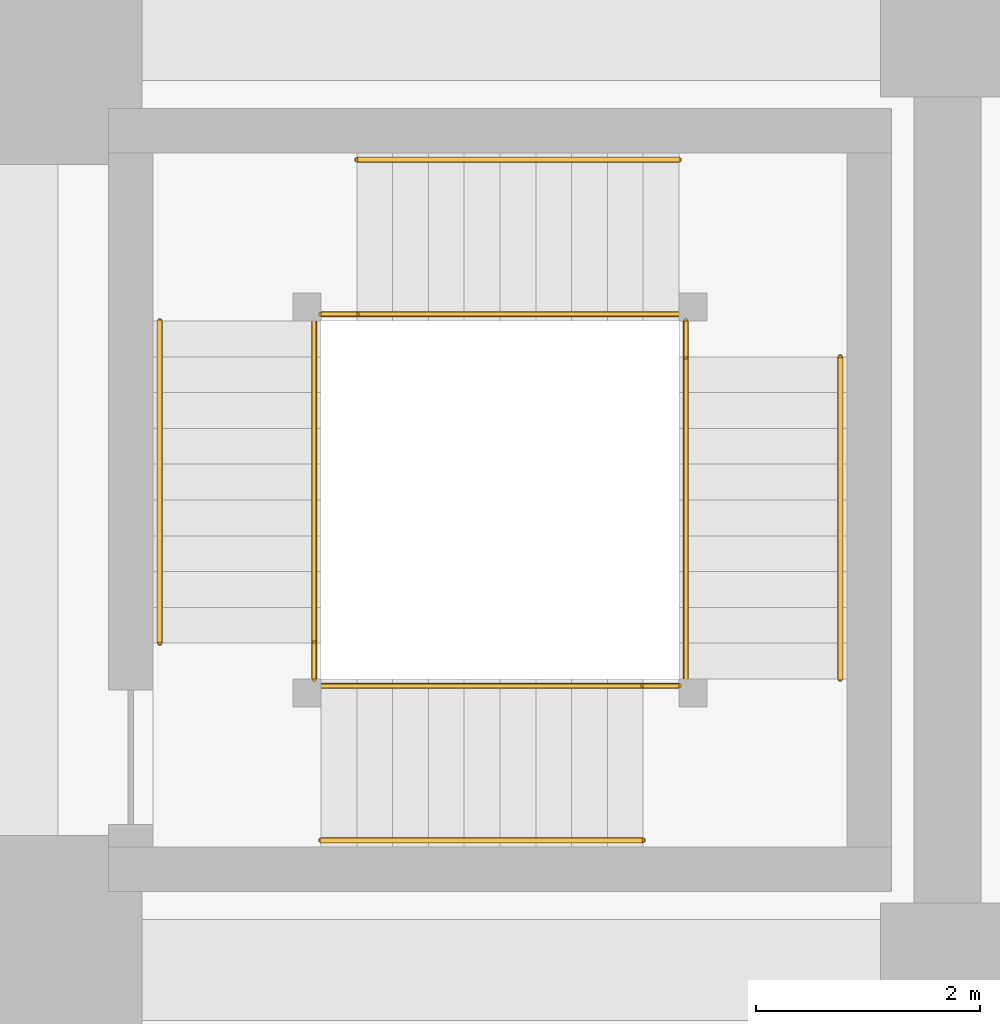
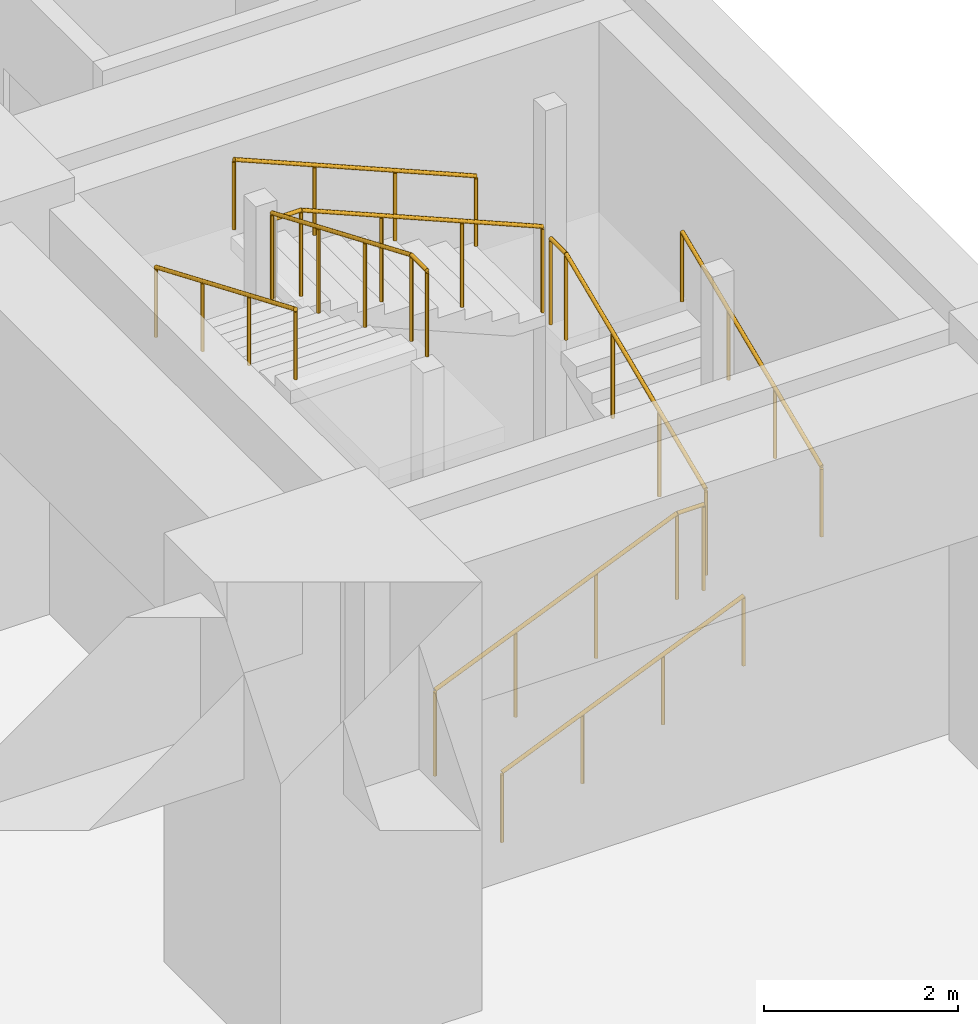
# One storey, part 19 of 20: 12 railings.
"""IFC4 building model written with IfcOpenShell, lengths in metres."""

from ifc_helpers import new_model, si_unit, direction, frame, origin, origin_2d, place, context, subcontext, project, spatial, circle, extrude, material, type_object, element, save


model = new_model("IFC4")

# Units and contexts
model_context = context("Model", 3, precision=1e-05, world=origin(), true_north=direction((0.0, 1.0)))
body_context = subcontext(model_context, "Body", "Model", "MODEL_VIEW")
ifc_project = project(units=[si_unit("LENGTHUNIT", "METRE"), si_unit("AREAUNIT", "SQUARE_METRE"), si_unit("VOLUMEUNIT", "CUBIC_METRE"), si_unit("PLANEANGLEUNIT", "RADIAN"), si_unit("MASSUNIT", "GRAM", prefix="KILO")], contexts=[model_context])

# Site, building, storey
site_placement = place(None, origin())
site = spatial("IfcSite", under=ifc_project, at=site_placement, CompositionType="ELEMENT")
building_placement = place(site_placement, origin())
building = spatial("IfcBuilding", under=site, at=building_placement, Name="Rekha Terrace Tower", CompositionType="ELEMENT")
storey_placement = place(building_placement, frame((0.0, 0.0, -5.39990234375)))
storey = spatial("IfcBuildingStorey", under=building, at=storey_placement, Name="B-01", CompositionType="ELEMENT", Elevation=-5.39990234375)

# Railings
ifc_material_1 = material(Name="Stainless steel balustrade", Category="steel")
railing_type_1 = type_object("IfcRailingType", Name="GR1 1100 stair guard", PredefinedType="GUARDRAIL", material=ifc_material_1)
railing_1_placement = place(storey_placement, frame((70.0, 27.739990234375, 0.135009765625)))
element("IfcRailing", 1, at=railing_1_placement, inside=storey, type_object=railing_type_1, Name="Guard SP2 B-01 flight 1", PredefinedType="GUARDRAIL", context=body_context, shape_type="SweptSolid", body=[
    extrude(circle(Radius=0.02392578125, at=origin_2d()), frame((0.0, 0.0, 1.076171875), z_axis=(0.921376398962, 0.0, 0.388671495527), x_axis=(0.0, 1.0, 0.0)), (0.0, 0.0, 1.0), 3.125732421875),
    extrude(circle(Radius=0.02099609375, at=origin_2d()), origin(), (0.0, 0.0, 1.0), 1.052001953125),
    extrude(circle(Radius=0.02099609375, at=origin_2d()), frame((0.9599609375, 0.0, 0.405029296875)), (0.0, 0.0, 1.0), 1.052001953125),
    extrude(circle(Radius=0.02099609375, at=origin_2d()), frame((1.919921875, 0.0, 0.809814453125)), (0.0, 0.0, 1.0), 1.052001953125),
    extrude(circle(Radius=0.02099609375, at=origin_2d()), frame((2.8798828125, 0.0, 1.21484375)), (0.0, 0.0, 1.0), 1.052001953125),
])
railing_2_placement = place(storey_placement, frame((73.260009765625, 27.800048828125, 1.48486328125)))
element("IfcRailing", 2, at=railing_2_placement, inside=storey, type_object=railing_type_1, Name="Guard SP2 B-01 flight 2", PredefinedType="GUARDRAIL", context=body_context, shape_type="SweptSolid", body=[
    extrude(circle(Radius=0.02392578125, at=origin_2d()), frame((0.0, 0.0, 1.076171875), z_axis=(0.0, 0.921348425517, 0.388737802119), x_axis=(-1.0, 0.0, 0.0)), (0.0, 0.0, 1.0), 3.125732421875),
    extrude(circle(Radius=0.02099609375, at=origin_2d()), origin(), (0.0, 0.0, 1.0), 1.052001953125),
    extrude(circle(Radius=0.02099609375, at=origin_2d()), frame((0.0, 0.9599609375, 0.405029296875)), (0.0, 0.0, 1.0), 1.052001953125),
    extrude(circle(Radius=0.02099609375, at=origin_2d()), frame((0.0, 1.919921875, 0.81005859375)), (0.0, 0.0, 1.0), 1.052001953125),
    extrude(circle(Radius=0.02099609375, at=origin_2d()), frame((0.0, 2.8798828125, 1.215087890625)), (0.0, 0.0, 1.0), 1.052001953125),
])
railing_3_placement = place(storey_placement, frame((73.199951171875, 31.06005859375, 2.8349609375)))
element("IfcRailing", 3, at=railing_3_placement, inside=storey, type_object=railing_type_1, Name="Guard SP2 B-01 flight 3", PredefinedType="GUARDRAIL", context=body_context, shape_type="SweptSolid", body=[
    extrude(circle(Radius=0.02392578125, at=origin_2d()), frame((0.0, 0.0, 1.076171875), z_axis=(-0.921376398962, 0.0, 0.388671495527), x_axis=(0.0, -1.0, 0.0)), (0.0, 0.0, 1.0), 3.125732421875),
    extrude(circle(Radius=0.02099609375, at=origin_2d()), origin(), (0.0, 0.0, 1.0), 1.052001953125),
    extrude(circle(Radius=0.02099609375, at=origin_2d()), frame((-0.9599609375, 0.0, 0.405029296875)), (0.0, 0.0, 1.0), 1.052001953125),
    extrude(circle(Radius=0.02099609375, at=origin_2d()), frame((-1.919921875, 0.0, 0.809814453125)), (0.0, 0.0, 1.0), 1.052001953125),
    extrude(circle(Radius=0.02099609375, at=origin_2d()), frame((-2.8798828125, 0.0, 1.21484375)), (0.0, 0.0, 1.0), 1.052001953125),
])
railing_4_placement = place(storey_placement, frame((69.93994140625, 31.0, 4.184814453125)))
element("IfcRailing", 4, at=railing_4_placement, inside=storey, type_object=railing_type_1, Name="Guard SP2 B-01 flight 4", PredefinedType="GUARDRAIL", context=body_context, shape_type="SweptSolid", body=[
    extrude(circle(Radius=0.02392578125, at=origin_2d()), frame((0.0, 0.0, 1.076171875), z_axis=(0.0, -0.921348425517, 0.388737802119), x_axis=(1.0, 0.0, 0.0)), (0.0, 0.0, 1.0), 3.125732421875),
    extrude(circle(Radius=0.02099609375, at=origin_2d()), origin(), (0.0, 0.0, 1.0), 1.052001953125),
    extrude(circle(Radius=0.02099609375, at=origin_2d()), frame((0.0, -0.9599609375, 0.405029296875)), (0.0, 0.0, 1.0), 1.052001953125),
    extrude(circle(Radius=0.02099609375, at=origin_2d()), frame((0.0, -1.919921875, 0.81005859375)), (0.0, 0.0, 1.0), 1.052001953125),
    extrude(circle(Radius=0.02099609375, at=origin_2d()), frame((0.0, -2.8798828125, 1.215087890625)), (0.0, 0.0, 1.0), 1.052001953125),
])
railing_5_placement = place(storey_placement, frame((72.8798828125, 27.739990234375, 1.349853515625)))
element("IfcRailing", 5, at=railing_5_placement, inside=storey, type_object=railing_type_1, Name="Guard SP2 B-01 landing 1", PredefinedType="GUARDRAIL", context=body_context, shape_type="SweptSolid", body=[
    extrude(circle(Radius=0.02392578125, at=origin_2d()), frame((0.0, 0.0, 1.076171875), z_axis=(1.0, 0.0, 0.0), x_axis=(0.0, 1.0, 0.0)), (0.0, 0.0, 1.0), 0.320068359375),
    extrude(circle(Radius=0.02099609375, at=origin_2d()), origin(), (0.0, 0.0, 1.0), 1.052001953125),
    extrude(circle(Radius=0.02099609375, at=origin_2d()), frame((0.320068359375, 0.0, 0.0)), (0.0, 0.0, 1.0), 1.052001953125),
])
railing_6_placement = place(storey_placement, frame((73.260009765625, 30.679931640625, 2.699951171875)))
element("IfcRailing", 6, at=railing_6_placement, inside=storey, type_object=railing_type_1, Name="Guard SP2 B-01 landing 2", PredefinedType="GUARDRAIL", context=body_context, shape_type="SweptSolid", body=[
    extrude(circle(Radius=0.02392578125, at=origin_2d()), frame((0.0, 0.0, 1.076171875), z_axis=(0.0, 1.0, 0.0), x_axis=(-1.0, 0.0, 0.0)), (0.0, 0.0, 1.0), 0.320068359375),
    extrude(circle(Radius=0.02099609375, at=origin_2d()), origin(), (0.0, 0.0, 1.0), 1.052001953125),
    extrude(circle(Radius=0.02099609375, at=origin_2d()), frame((0.0, 0.320068359375, 0.0)), (0.0, 0.0, 1.0), 1.052001953125),
])
railing_7_placement = place(storey_placement, frame((70.0, 31.06005859375, 4.0498046875)))
element("IfcRailing", 7, at=railing_7_placement, inside=storey, type_object=railing_type_1, Name="Guard SP2 B-01 landing 3", PredefinedType="GUARDRAIL", context=body_context, shape_type="SweptSolid", body=[
    extrude(circle(Radius=0.02392578125, at=origin_2d()), frame((0.0, 0.0, 1.076171875), z_axis=(1.0, 0.0, 0.0), x_axis=(0.0, 1.0, 0.0)), (0.0, 0.0, 1.0), 0.320068359375),
    extrude(circle(Radius=0.02099609375, at=origin_2d()), origin(), (0.0, 0.0, 1.0), 1.052001953125),
    extrude(circle(Radius=0.02099609375, at=origin_2d()), frame((0.320068359375, 0.0, 0.0)), (0.0, 0.0, 1.0), 1.052001953125),
])
railing_8_placement = place(storey_placement, frame((69.93994140625, 27.800048828125, 5.39990234375)))
element("IfcRailing", 8, at=railing_8_placement, inside=storey, type_object=railing_type_1, Name="Guard SP2 B-01 landing 4", PredefinedType="GUARDRAIL", context=body_context, shape_type="SweptSolid", body=[
    extrude(circle(Radius=0.02392578125, at=origin_2d()), frame((0.0, 0.0, 1.076171875), z_axis=(0.0, 1.0, 0.0), x_axis=(-1.0, 0.0, 0.0)), (0.0, 0.0, 1.0), 0.320068359375),
    extrude(circle(Radius=0.02099609375, at=origin_2d()), origin(), (0.0, 0.0, 1.0), 1.052001953125),
    extrude(circle(Radius=0.02099609375, at=origin_2d()), frame((0.0, 0.320068359375, 0.0)), (0.0, 0.0, 1.0), 1.052001953125),
])
ifc_material_2 = material(Name="Stainless steel tube", Category="steel")
railing_type_2 = type_object("IfcRailingType", Name="HR1 900 stair handrail", PredefinedType="HANDRAIL", material=ifc_material_2)
railing_9_placement = place(storey_placement, frame((70.0, 26.360107421875, 0.135009765625)))
element("IfcRailing", 9, at=railing_9_placement, inside=storey, type_object=railing_type_2, Name="Handrail SP2 B-01 flight 1", PredefinedType="HANDRAIL", context=body_context, shape_type="SweptSolid", body=[
    extrude(circle(Radius=0.02392578125, at=origin_2d()), frame((0.0, 0.0, 0.8759765625), z_axis=(0.921376398962, 0.0, 0.388671495527), x_axis=(0.0, 1.0, 0.0)), (0.0, 0.0, 1.0), 3.125732421875),
    extrude(circle(Radius=0.02099609375, at=origin_2d()), origin(), (0.0, 0.0, 1.0), 0.851806640625),
    extrude(circle(Radius=0.02099609375, at=origin_2d()), frame((0.9599609375, 0.0, 0.405029296875)), (0.0, 0.0, 1.0), 0.851806640625),
    extrude(circle(Radius=0.02099609375, at=origin_2d()), frame((1.919921875, 0.0, 0.809814453125)), (0.0, 0.0, 1.0), 0.851806640625),
    extrude(circle(Radius=0.02099609375, at=origin_2d()), frame((2.8798828125, 0.0, 1.21484375)), (0.0, 0.0, 1.0), 0.851806640625),
])
railing_10_placement = place(storey_placement, frame((74.639892578125, 27.800048828125, 1.48486328125)))
element("IfcRailing", 10, at=railing_10_placement, inside=storey, type_object=railing_type_2, Name="Handrail SP2 B-01 flight 2", PredefinedType="HANDRAIL", context=body_context, shape_type="SweptSolid", body=[
    extrude(circle(Radius=0.02392578125, at=origin_2d()), frame((0.0, 0.0, 0.8759765625), z_axis=(0.0, 0.921348425517, 0.388737802119), x_axis=(-1.0, 0.0, 0.0)), (0.0, 0.0, 1.0), 3.125732421875),
    extrude(circle(Radius=0.02099609375, at=origin_2d()), origin(), (0.0, 0.0, 1.0), 0.851806640625),
    extrude(circle(Radius=0.02099609375, at=origin_2d()), frame((0.0, 0.9599609375, 0.405029296875)), (0.0, 0.0, 1.0), 0.851806640625),
    extrude(circle(Radius=0.02099609375, at=origin_2d()), frame((0.0, 1.919921875, 0.81005859375)), (0.0, 0.0, 1.0), 0.851806640625),
    extrude(circle(Radius=0.02099609375, at=origin_2d()), frame((0.0, 2.8798828125, 1.215087890625)), (0.0, 0.0, 1.0), 0.851806640625),
])
railing_11_placement = place(storey_placement, frame((73.199951171875, 32.43994140625, 2.8349609375)))
element("IfcRailing", 11, at=railing_11_placement, inside=storey, type_object=railing_type_2, Name="Handrail SP2 B-01 flight 3", PredefinedType="HANDRAIL", context=body_context, shape_type="SweptSolid", body=[
    extrude(circle(Radius=0.02392578125, at=origin_2d()), frame((0.0, 0.0, 0.8759765625), z_axis=(-0.921376398962, 0.0, 0.388671495527), x_axis=(0.0, -1.0, 0.0)), (0.0, 0.0, 1.0), 3.125732421875),
    extrude(circle(Radius=0.02099609375, at=origin_2d()), origin(), (0.0, 0.0, 1.0), 0.851806640625),
    extrude(circle(Radius=0.02099609375, at=origin_2d()), frame((-0.9599609375, 0.0, 0.405029296875)), (0.0, 0.0, 1.0), 0.851806640625),
    extrude(circle(Radius=0.02099609375, at=origin_2d()), frame((-1.919921875, 0.0, 0.809814453125)), (0.0, 0.0, 1.0), 0.851806640625),
    extrude(circle(Radius=0.02099609375, at=origin_2d()), frame((-2.8798828125, 0.0, 1.21484375)), (0.0, 0.0, 1.0), 0.851806640625),
])
railing_12_placement = place(storey_placement, frame((68.56005859375, 31.0, 4.184814453125)))
element("IfcRailing", 12, at=railing_12_placement, inside=storey, type_object=railing_type_2, Name="Handrail SP2 B-01 flight 4", PredefinedType="HANDRAIL", context=body_context, shape_type="SweptSolid", body=[
    extrude(circle(Radius=0.02392578125, at=origin_2d()), frame((0.0, 0.0, 0.8759765625), z_axis=(0.0, -0.921348425517, 0.388737802119), x_axis=(1.0, 0.0, 0.0)), (0.0, 0.0, 1.0), 3.125732421875),
    extrude(circle(Radius=0.02099609375, at=origin_2d()), origin(), (0.0, 0.0, 1.0), 0.851806640625),
    extrude(circle(Radius=0.02099609375, at=origin_2d()), frame((0.0, -0.9599609375, 0.405029296875)), (0.0, 0.0, 1.0), 0.851806640625),
    extrude(circle(Radius=0.02099609375, at=origin_2d()), frame((0.0, -1.919921875, 0.81005859375)), (0.0, 0.0, 1.0), 0.851806640625),
    extrude(circle(Radius=0.02099609375, at=origin_2d()), frame((0.0, -2.8798828125, 1.215087890625)), (0.0, 0.0, 1.0), 0.851806640625),
])

save(model, "model.ifc")
